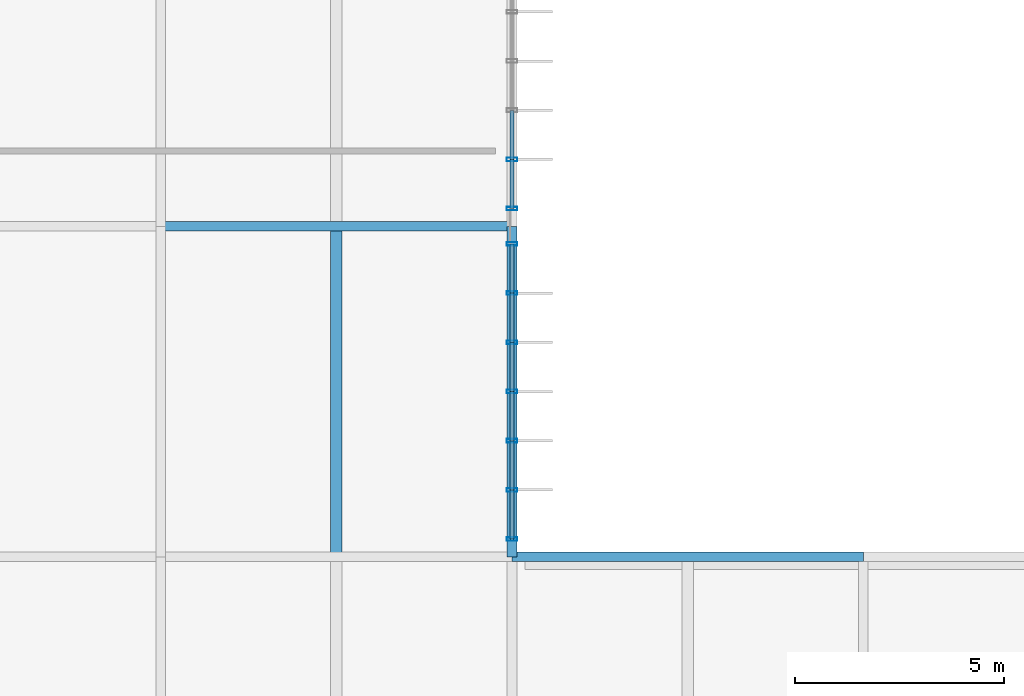
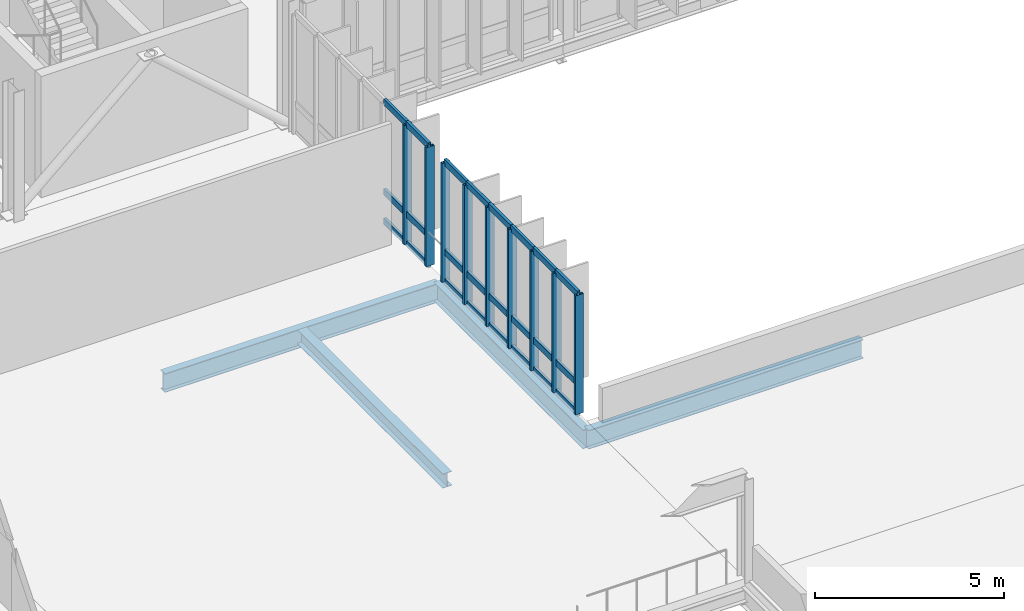
# One storey, part 28 of 107: 33 members, 4 beams, 2 elements without a shape of their own.
"""IFC4 building model written with IfcOpenShell, lengths in metres."""

from ifc_helpers import new_model, si_unit, derived_unit, direction, frame, origin, origin_2d, place, context, subcontext, project, spatial, hollow_rectangle, i_section, extrude, material, layer, layer_set, material_profile, profile_set, type_object, element, aggregate, save


model = new_model("IFC4")

# Units and contexts
model_context = context("Model", 3, precision=1e-05, world=origin(), true_north=direction((0.0, 1.0)))
body_context = subcontext(model_context, "Body", "Model", "MODEL_VIEW")
ifc_project = project(units=[si_unit("LENGTHUNIT", "METRE"), si_unit("AREAUNIT", "SQUARE_METRE"), si_unit("VOLUMEUNIT", "CUBIC_METRE"), si_unit("PLANEANGLEUNIT", "RADIAN"), si_unit("MASSUNIT", "GRAM", prefix="KILO"), derived_unit("THERMALTRANSMITTANCEUNIT", [(si_unit("MASSUNIT", "GRAM", prefix="KILO"), 1), (si_unit("TIMEUNIT", "SECOND"), -3), (si_unit("THERMODYNAMICTEMPERATUREUNIT", "KELVIN"), -1)])], contexts=[model_context])

# Site, building, storey
site_placement = place(None, origin())
site = spatial("IfcSite", under=ifc_project, at=site_placement, CompositionType="ELEMENT")
building_placement = place(site_placement, origin())
building = spatial("IfcBuilding", under=site, at=building_placement, Name="Makaiwela Harbour Ferry Terminal", CompositionType="ELEMENT")
storey_placement = place(building_placement, frame((0.0, 0.0, 9.60009765625)))
storey = spatial("IfcBuildingStorey", under=building, at=storey_placement, Name="L02", CompositionType="ELEMENT", Elevation=9.60009765625)

# Curtain wall, members
ifc_material_1 = material(Name="Marine anodised aluminium 6063-T6", Category="aluminium")
ifc_layer = layer(ifc_material_1, 0.199951171875)
ifc_layer_set = layer_set([ifc_layer], Name="Marine anodised aluminium 6063-T6")
curtain_wall_type = type_object("IfcCurtainWallType", Name="ENV-CW-14", PredefinedType="USERDEFINED", material=ifc_layer_set)
curtain_wall_1_placement = place(storey_placement, origin())
curtain_wall_1 = element("IfcCurtainWall", 1, at=curtain_wall_1_placement, inside=storey, type_object=curtain_wall_type, Name="Unitised Curtain Wall CWA-110", ObjectType="UNITIZED CURTAIN WALL", PredefinedType="USERDEFINED")
ifc_material_profile_1 = material_profile(ifc_material_1, hollow_rectangle(XDim=0.0849609375, YDim=0.25, WallThickness=0.0048828125, at=origin_2d()), Name="CWM-250X85")
ifc_profile_set_1 = profile_set([ifc_material_profile_1], Name="Marine anodised aluminium 6063-T6")
member_type_1 = type_object("IfcMemberType", Name="CW-MUL-250", PredefinedType="MULLION", material=ifc_profile_set_1)
member_1_placement = place(storey_placement, frame((71.39990234375, 41.080078125, 0.0), z_axis=(0.0, 0.0, 1.0), x_axis=(0.0, 1.0, 0.0)))
member_1 = element("IfcMember", 2, at=member_1_placement, type_object=member_type_1, Name="Curtain Wall Mullion CWA-110-1", PredefinedType="MULLION", context=body_context, shape_type="SweptSolid", body=[
    extrude(hollow_rectangle(XDim=0.0849609375, YDim=0.25, WallThickness=0.0048828125, at=origin_2d()), origin(), (0.0, 0.0, 1.0), 3.849853515625),
])
member_2_placement = place(storey_placement, frame((71.39990234375, 39.9033203125, 0.0), z_axis=(0.0, 0.0, 1.0), x_axis=(0.0, 1.0, 0.0)))
member_2 = element("IfcMember", 3, at=member_2_placement, type_object=member_type_1, Name="Curtain Wall Mullion CWA-110-2", PredefinedType="MULLION", context=body_context, shape_type="SweptSolid", body=[
    extrude(hollow_rectangle(XDim=0.0849609375, YDim=0.25, WallThickness=0.0048828125, at=origin_2d()), origin(), (0.0, 0.0, 1.0), 3.849853515625),
])
member_3_placement = place(storey_placement, frame((71.39990234375, 38.726806640625, 0.0), z_axis=(0.0, 0.0, 1.0), x_axis=(0.0, 1.0, 0.0)))
member_3 = element("IfcMember", 4, at=member_3_placement, type_object=member_type_1, Name="Curtain Wall Mullion CWA-110-3", PredefinedType="MULLION", context=body_context, shape_type="SweptSolid", body=[
    extrude(hollow_rectangle(XDim=0.0849609375, YDim=0.25, WallThickness=0.0048828125, at=origin_2d()), origin(), (0.0, 0.0, 1.0), 3.849853515625),
])
member_4_placement = place(storey_placement, frame((71.39990234375, 37.550048828125, 0.0), z_axis=(0.0, 0.0, 1.0), x_axis=(0.0, 1.0, 0.0)))
member_4 = element("IfcMember", 5, at=member_4_placement, type_object=member_type_1, Name="Curtain Wall Mullion CWA-110-4", PredefinedType="MULLION", context=body_context, shape_type="SweptSolid", body=[
    extrude(hollow_rectangle(XDim=0.0849609375, YDim=0.25, WallThickness=0.0048828125, at=origin_2d()), origin(), (0.0, 0.0, 1.0), 3.849853515625),
])
member_5_placement = place(storey_placement, frame((71.39990234375, 36.373291015625, 0.0), z_axis=(0.0, 0.0, 1.0), x_axis=(0.0, 1.0, 0.0)))
member_5 = element("IfcMember", 6, at=member_5_placement, type_object=member_type_1, Name="Curtain Wall Mullion CWA-110-5", PredefinedType="MULLION", context=body_context, shape_type="SweptSolid", body=[
    extrude(hollow_rectangle(XDim=0.0849609375, YDim=0.25, WallThickness=0.0048828125, at=origin_2d()), origin(), (0.0, 0.0, 1.0), 3.849853515625),
])
member_6_placement = place(storey_placement, frame((71.39990234375, 35.19677734375, 0.0), z_axis=(0.0, 0.0, 1.0), x_axis=(0.0, 1.0, 0.0)))
member_6 = element("IfcMember", 7, at=member_6_placement, type_object=member_type_1, Name="Curtain Wall Mullion CWA-110-6", PredefinedType="MULLION", context=body_context, shape_type="SweptSolid", body=[
    extrude(hollow_rectangle(XDim=0.0849609375, YDim=0.25, WallThickness=0.0048828125, at=origin_2d()), origin(), (0.0, 0.0, 1.0), 3.849853515625),
])
member_7_placement = place(storey_placement, frame((71.39990234375, 34.02001953125, 0.0), z_axis=(0.0, 0.0, 1.0), x_axis=(0.0, 1.0, 0.0)))
member_7 = element("IfcMember", 8, at=member_7_placement, type_object=member_type_1, Name="Curtain Wall Mullion CWA-110-7", PredefinedType="MULLION", context=body_context, shape_type="SweptSolid", body=[
    extrude(hollow_rectangle(XDim=0.0849609375, YDim=0.25, WallThickness=0.0048828125, at=origin_2d()), origin(), (0.0, 0.0, 1.0), 3.849853515625),
])

curtain_wall_2_placement = place(storey_placement, origin())
curtain_wall_2 = element("IfcCurtainWall", 9, at=curtain_wall_2_placement, inside=storey, type_object=curtain_wall_type, Name="Unitised Curtain Wall CWA-113", ObjectType="UNITIZED CURTAIN WALL", PredefinedType="USERDEFINED")
member_8_placement = place(storey_placement, frame((71.39990234375, 43.0966796875, 0.0), z_axis=(0.0, 0.0, 1.0), x_axis=(0.0, 1.0, 0.0)))
member_8 = element("IfcMember", 10, at=member_8_placement, type_object=member_type_1, Name="Curtain Wall Mullion CWA-113-6", PredefinedType="MULLION", context=body_context, shape_type="SweptSolid", body=[
    extrude(hollow_rectangle(XDim=0.0849609375, YDim=0.25, WallThickness=0.0048828125, at=origin_2d()), origin(), (0.0, 0.0, 1.0), 3.849853515625),
])
member_9_placement = place(storey_placement, frame((71.39990234375, 41.919921875, 0.0), z_axis=(0.0, 0.0, 1.0), x_axis=(0.0, 1.0, 0.0)))
member_9 = element("IfcMember", 11, at=member_9_placement, type_object=member_type_1, Name="Curtain Wall Mullion CWA-113-7", PredefinedType="MULLION", context=body_context, shape_type="SweptSolid", body=[
    extrude(hollow_rectangle(XDim=0.0849609375, YDim=0.25, WallThickness=0.0048828125, at=origin_2d()), origin(), (0.0, 0.0, 1.0), 3.849853515625),
])

# Member
ifc_material_profile_2 = material_profile(ifc_material_1, hollow_rectangle(XDim=0.0849609375, YDim=0.199951171875, WallThickness=0.0048828125, at=origin_2d()), Name="CWT-200X85")
ifc_profile_set_2 = profile_set([ifc_material_profile_2], Name="Marine anodised aluminium 6063-T6")
member_type_2 = type_object("IfcMemberType", Name="CW-TRN-200", PredefinedType="USERDEFINED", material=ifc_profile_set_2)
member_10_placement = place(storey_placement, frame((71.39990234375, 41.080078125, 0.0), z_axis=(0.0, -1.0, 0.0), x_axis=(1.0, 0.0, 0.0)))
member_10 = element("IfcMember", 12, at=member_10_placement, type_object=member_type_2, Name="Curtain Wall Transom CWA-110-1-1", ObjectType="TRANSOM", PredefinedType="USERDEFINED", context=body_context, shape_type="SweptSolid", body=[
    extrude(hollow_rectangle(XDim=0.0849609375, YDim=0.199951171875, WallThickness=0.0048828125, at=origin_2d()), origin(), (0.0, 0.0, 1.0), 1.1767578125),
])

member_11_placement = place(storey_placement, frame((71.39990234375, 41.080078125, 0.949951171875), z_axis=(0.0, -1.0, 0.0), x_axis=(1.0, 0.0, 0.0)))
member_11 = element("IfcMember", 13, at=member_11_placement, type_object=member_type_2, Name="Curtain Wall Transom CWA-110-1-2", ObjectType="TRANSOM", PredefinedType="USERDEFINED", context=body_context, shape_type="SweptSolid", body=[
    extrude(hollow_rectangle(XDim=0.0849609375, YDim=0.199951171875, WallThickness=0.0048828125, at=origin_2d()), origin(), (0.0, 0.0, 1.0), 1.1767578125),
])

member_12_placement = place(storey_placement, frame((71.39990234375, 41.080078125, 3.849853515625), z_axis=(0.0, -1.0, 0.0), x_axis=(1.0, 0.0, 0.0)))
member_12 = element("IfcMember", 14, at=member_12_placement, type_object=member_type_2, Name="Curtain Wall Transom CWA-110-1-3", ObjectType="TRANSOM", PredefinedType="USERDEFINED", context=body_context, shape_type="SweptSolid", body=[
    extrude(hollow_rectangle(XDim=0.0849609375, YDim=0.199951171875, WallThickness=0.0048828125, at=origin_2d()), origin(), (0.0, 0.0, 1.0), 1.1767578125),
])

member_13_placement = place(storey_placement, frame((71.39990234375, 39.9033203125, 0.0), z_axis=(0.0, -1.0, 0.0), x_axis=(1.0, 0.0, 0.0)))
member_13 = element("IfcMember", 15, at=member_13_placement, type_object=member_type_2, Name="Curtain Wall Transom CWA-110-2-1", ObjectType="TRANSOM", PredefinedType="USERDEFINED", context=body_context, shape_type="SweptSolid", body=[
    extrude(hollow_rectangle(XDim=0.0849609375, YDim=0.199951171875, WallThickness=0.0048828125, at=origin_2d()), origin(), (0.0, 0.0, 1.0), 1.176513671875),
])

member_14_placement = place(storey_placement, frame((71.39990234375, 39.9033203125, 0.949951171875), z_axis=(0.0, -1.0, 0.0), x_axis=(1.0, 0.0, 0.0)))
member_14 = element("IfcMember", 16, at=member_14_placement, type_object=member_type_2, Name="Curtain Wall Transom CWA-110-2-2", ObjectType="TRANSOM", PredefinedType="USERDEFINED", context=body_context, shape_type="SweptSolid", body=[
    extrude(hollow_rectangle(XDim=0.0849609375, YDim=0.199951171875, WallThickness=0.0048828125, at=origin_2d()), origin(), (0.0, 0.0, 1.0), 1.176513671875),
])

member_15_placement = place(storey_placement, frame((71.39990234375, 39.9033203125, 3.849853515625), z_axis=(0.0, -1.0, 0.0), x_axis=(1.0, 0.0, 0.0)))
member_15 = element("IfcMember", 17, at=member_15_placement, type_object=member_type_2, Name="Curtain Wall Transom CWA-110-2-3", ObjectType="TRANSOM", PredefinedType="USERDEFINED", context=body_context, shape_type="SweptSolid", body=[
    extrude(hollow_rectangle(XDim=0.0849609375, YDim=0.199951171875, WallThickness=0.0048828125, at=origin_2d()), origin(), (0.0, 0.0, 1.0), 1.176513671875),
])

member_16_placement = place(storey_placement, frame((71.39990234375, 38.726806640625, 0.0), z_axis=(0.0, -1.0, 0.0), x_axis=(1.0, 0.0, 0.0)))
member_16 = element("IfcMember", 18, at=member_16_placement, type_object=member_type_2, Name="Curtain Wall Transom CWA-110-3-1", ObjectType="TRANSOM", PredefinedType="USERDEFINED", context=body_context, shape_type="SweptSolid", body=[
    extrude(hollow_rectangle(XDim=0.0849609375, YDim=0.199951171875, WallThickness=0.0048828125, at=origin_2d()), origin(), (0.0, 0.0, 1.0), 1.1767578125),
])

member_17_placement = place(storey_placement, frame((71.39990234375, 38.726806640625, 0.949951171875), z_axis=(0.0, -1.0, 0.0), x_axis=(1.0, 0.0, 0.0)))
member_17 = element("IfcMember", 19, at=member_17_placement, type_object=member_type_2, Name="Curtain Wall Transom CWA-110-3-2", ObjectType="TRANSOM", PredefinedType="USERDEFINED", context=body_context, shape_type="SweptSolid", body=[
    extrude(hollow_rectangle(XDim=0.0849609375, YDim=0.199951171875, WallThickness=0.0048828125, at=origin_2d()), origin(), (0.0, 0.0, 1.0), 1.1767578125),
])

member_18_placement = place(storey_placement, frame((71.39990234375, 38.726806640625, 3.849853515625), z_axis=(0.0, -1.0, 0.0), x_axis=(1.0, 0.0, 0.0)))
member_18 = element("IfcMember", 20, at=member_18_placement, type_object=member_type_2, Name="Curtain Wall Transom CWA-110-3-3", ObjectType="TRANSOM", PredefinedType="USERDEFINED", context=body_context, shape_type="SweptSolid", body=[
    extrude(hollow_rectangle(XDim=0.0849609375, YDim=0.199951171875, WallThickness=0.0048828125, at=origin_2d()), origin(), (0.0, 0.0, 1.0), 1.1767578125),
])

member_19_placement = place(storey_placement, frame((71.39990234375, 37.550048828125, 0.0), z_axis=(0.0, -1.0, 0.0), x_axis=(1.0, 0.0, 0.0)))
member_19 = element("IfcMember", 21, at=member_19_placement, type_object=member_type_2, Name="Curtain Wall Transom CWA-110-4-1", ObjectType="TRANSOM", PredefinedType="USERDEFINED", context=body_context, shape_type="SweptSolid", body=[
    extrude(hollow_rectangle(XDim=0.0849609375, YDim=0.199951171875, WallThickness=0.0048828125, at=origin_2d()), origin(), (0.0, 0.0, 1.0), 1.1767578125),
])

member_20_placement = place(storey_placement, frame((71.39990234375, 37.550048828125, 0.949951171875), z_axis=(0.0, -1.0, 0.0), x_axis=(1.0, 0.0, 0.0)))
member_20 = element("IfcMember", 22, at=member_20_placement, type_object=member_type_2, Name="Curtain Wall Transom CWA-110-4-2", ObjectType="TRANSOM", PredefinedType="USERDEFINED", context=body_context, shape_type="SweptSolid", body=[
    extrude(hollow_rectangle(XDim=0.0849609375, YDim=0.199951171875, WallThickness=0.0048828125, at=origin_2d()), origin(), (0.0, 0.0, 1.0), 1.1767578125),
])

member_21_placement = place(storey_placement, frame((71.39990234375, 37.550048828125, 3.849853515625), z_axis=(0.0, -1.0, 0.0), x_axis=(1.0, 0.0, 0.0)))
member_21 = element("IfcMember", 23, at=member_21_placement, type_object=member_type_2, Name="Curtain Wall Transom CWA-110-4-3", ObjectType="TRANSOM", PredefinedType="USERDEFINED", context=body_context, shape_type="SweptSolid", body=[
    extrude(hollow_rectangle(XDim=0.0849609375, YDim=0.199951171875, WallThickness=0.0048828125, at=origin_2d()), origin(), (0.0, 0.0, 1.0), 1.1767578125),
])

member_22_placement = place(storey_placement, frame((71.39990234375, 36.373291015625, 0.0), z_axis=(0.0, -1.0, 0.0), x_axis=(1.0, 0.0, 0.0)))
member_22 = element("IfcMember", 24, at=member_22_placement, type_object=member_type_2, Name="Curtain Wall Transom CWA-110-5-1", ObjectType="TRANSOM", PredefinedType="USERDEFINED", context=body_context, shape_type="SweptSolid", body=[
    extrude(hollow_rectangle(XDim=0.0849609375, YDim=0.199951171875, WallThickness=0.0048828125, at=origin_2d()), origin(), (0.0, 0.0, 1.0), 1.176513671875),
])

member_23_placement = place(storey_placement, frame((71.39990234375, 36.373291015625, 0.949951171875), z_axis=(0.0, -1.0, 0.0), x_axis=(1.0, 0.0, 0.0)))
member_23 = element("IfcMember", 25, at=member_23_placement, type_object=member_type_2, Name="Curtain Wall Transom CWA-110-5-2", ObjectType="TRANSOM", PredefinedType="USERDEFINED", context=body_context, shape_type="SweptSolid", body=[
    extrude(hollow_rectangle(XDim=0.0849609375, YDim=0.199951171875, WallThickness=0.0048828125, at=origin_2d()), origin(), (0.0, 0.0, 1.0), 1.176513671875),
])

member_24_placement = place(storey_placement, frame((71.39990234375, 36.373291015625, 3.849853515625), z_axis=(0.0, -1.0, 0.0), x_axis=(1.0, 0.0, 0.0)))
member_24 = element("IfcMember", 26, at=member_24_placement, type_object=member_type_2, Name="Curtain Wall Transom CWA-110-5-3", ObjectType="TRANSOM", PredefinedType="USERDEFINED", context=body_context, shape_type="SweptSolid", body=[
    extrude(hollow_rectangle(XDim=0.0849609375, YDim=0.199951171875, WallThickness=0.0048828125, at=origin_2d()), origin(), (0.0, 0.0, 1.0), 1.176513671875),
])

member_25_placement = place(storey_placement, frame((71.39990234375, 35.19677734375, 0.0), z_axis=(0.0, -1.0, 0.0), x_axis=(1.0, 0.0, 0.0)))
member_25 = element("IfcMember", 27, at=member_25_placement, type_object=member_type_2, Name="Curtain Wall Transom CWA-110-6-1", ObjectType="TRANSOM", PredefinedType="USERDEFINED", context=body_context, shape_type="SweptSolid", body=[
    extrude(hollow_rectangle(XDim=0.0849609375, YDim=0.199951171875, WallThickness=0.0048828125, at=origin_2d()), origin(), (0.0, 0.0, 1.0), 1.1767578125),
])

member_26_placement = place(storey_placement, frame((71.39990234375, 35.19677734375, 0.949951171875), z_axis=(0.0, -1.0, 0.0), x_axis=(1.0, 0.0, 0.0)))
member_26 = element("IfcMember", 28, at=member_26_placement, type_object=member_type_2, Name="Curtain Wall Transom CWA-110-6-2", ObjectType="TRANSOM", PredefinedType="USERDEFINED", context=body_context, shape_type="SweptSolid", body=[
    extrude(hollow_rectangle(XDim=0.0849609375, YDim=0.199951171875, WallThickness=0.0048828125, at=origin_2d()), origin(), (0.0, 0.0, 1.0), 1.1767578125),
])

member_27_placement = place(storey_placement, frame((71.39990234375, 35.19677734375, 3.849853515625), z_axis=(0.0, -1.0, 0.0), x_axis=(1.0, 0.0, 0.0)))
member_27 = element("IfcMember", 29, at=member_27_placement, type_object=member_type_2, Name="Curtain Wall Transom CWA-110-6-3", ObjectType="TRANSOM", PredefinedType="USERDEFINED", context=body_context, shape_type="SweptSolid", body=[
    extrude(hollow_rectangle(XDim=0.0849609375, YDim=0.199951171875, WallThickness=0.0048828125, at=origin_2d()), origin(), (0.0, 0.0, 1.0), 1.1767578125),
])

aggregate(curtain_wall_1, [member_1, member_2, member_3, member_4, member_5, member_6, member_7, member_10, member_11, member_12, member_13, member_14, member_15, member_16, member_17, member_18, member_19, member_20, member_21, member_22, member_23, member_24, member_25, member_26, member_27])

member_28_placement = place(storey_placement, frame((71.39990234375, 44.273193359375, 0.0), z_axis=(0.0, -1.0, 0.0), x_axis=(1.0, 0.0, 0.0)))
member_28 = element("IfcMember", 30, at=member_28_placement, type_object=member_type_2, Name="Curtain Wall Transom CWA-113-5-1", ObjectType="TRANSOM", PredefinedType="USERDEFINED", context=body_context, shape_type="SweptSolid", body=[
    extrude(hollow_rectangle(XDim=0.0849609375, YDim=0.199951171875, WallThickness=0.0048828125, at=origin_2d()), origin(), (0.0, 0.0, 1.0), 1.176513671875),
])

member_29_placement = place(storey_placement, frame((71.39990234375, 44.273193359375, 0.949951171875), z_axis=(0.0, -1.0, 0.0), x_axis=(1.0, 0.0, 0.0)))
member_29 = element("IfcMember", 31, at=member_29_placement, type_object=member_type_2, Name="Curtain Wall Transom CWA-113-5-2", ObjectType="TRANSOM", PredefinedType="USERDEFINED", context=body_context, shape_type="SweptSolid", body=[
    extrude(hollow_rectangle(XDim=0.0849609375, YDim=0.199951171875, WallThickness=0.0048828125, at=origin_2d()), origin(), (0.0, 0.0, 1.0), 1.176513671875),
])

member_30_placement = place(storey_placement, frame((71.39990234375, 44.273193359375, 3.849853515625), z_axis=(0.0, -1.0, 0.0), x_axis=(1.0, 0.0, 0.0)))
member_30 = element("IfcMember", 32, at=member_30_placement, type_object=member_type_2, Name="Curtain Wall Transom CWA-113-5-3", ObjectType="TRANSOM", PredefinedType="USERDEFINED", context=body_context, shape_type="SweptSolid", body=[
    extrude(hollow_rectangle(XDim=0.0849609375, YDim=0.199951171875, WallThickness=0.0048828125, at=origin_2d()), origin(), (0.0, 0.0, 1.0), 1.176513671875),
])

member_31_placement = place(storey_placement, frame((71.39990234375, 43.0966796875, 0.0), z_axis=(0.0, -1.0, 0.0), x_axis=(1.0, 0.0, 0.0)))
member_31 = element("IfcMember", 33, at=member_31_placement, type_object=member_type_2, Name="Curtain Wall Transom CWA-113-6-1", ObjectType="TRANSOM", PredefinedType="USERDEFINED", context=body_context, shape_type="SweptSolid", body=[
    extrude(hollow_rectangle(XDim=0.0849609375, YDim=0.199951171875, WallThickness=0.0048828125, at=origin_2d()), origin(), (0.0, 0.0, 1.0), 1.1767578125),
])

member_32_placement = place(storey_placement, frame((71.39990234375, 43.0966796875, 0.949951171875), z_axis=(0.0, -1.0, 0.0), x_axis=(1.0, 0.0, 0.0)))
member_32 = element("IfcMember", 34, at=member_32_placement, type_object=member_type_2, Name="Curtain Wall Transom CWA-113-6-2", ObjectType="TRANSOM", PredefinedType="USERDEFINED", context=body_context, shape_type="SweptSolid", body=[
    extrude(hollow_rectangle(XDim=0.0849609375, YDim=0.199951171875, WallThickness=0.0048828125, at=origin_2d()), origin(), (0.0, 0.0, 1.0), 1.1767578125),
])

member_33_placement = place(storey_placement, frame((71.39990234375, 43.0966796875, 3.849853515625), z_axis=(0.0, -1.0, 0.0), x_axis=(1.0, 0.0, 0.0)))
member_33 = element("IfcMember", 35, at=member_33_placement, type_object=member_type_2, Name="Curtain Wall Transom CWA-113-6-3", ObjectType="TRANSOM", PredefinedType="USERDEFINED", context=body_context, shape_type="SweptSolid", body=[
    extrude(hollow_rectangle(XDim=0.0849609375, YDim=0.199951171875, WallThickness=0.0048828125, at=origin_2d()), origin(), (0.0, 0.0, 1.0), 1.1767578125),
])

aggregate(curtain_wall_2, [member_8, member_9, member_28, member_29, member_30, member_31, member_32, member_33])

# Beams
ifc_material_2 = material(Name="Steel ASTM A992 Grade 50", Category="steel")
ifc_material_profile_3 = material_profile(ifc_material_2, i_section(OverallWidth=0.280029296875, OverallDepth=0.462890625, WebThickness=0.0107421875, FlangeThickness=0.017333984375, at=origin_2d()), Name="W18X76")
ifc_profile_set_3 = profile_set([ifc_material_profile_3], Name="Steel ASTM A992 Grade 50")
beam_type_1 = type_object("IfcBeamType", Name="STR-BM-W18X76", PredefinedType="BEAM", material=ifc_profile_set_3)
beam_1_placement = place(storey_placement, frame((67.199951171875, 33.696533203125, -0.49169921875), z_axis=(0.0, 1.0, 0.0), x_axis=(-1.0, 0.0, 0.0)))
element("IfcBeam", 36, at=beam_1_placement, inside=storey, type_object=beam_type_1, Name="Secondary floor beam 1468", PredefinedType="BEAM", context=body_context, shape_type="SweptSolid", body=[
    extrude(i_section(OverallWidth=0.280029296875, OverallDepth=0.462890625, WebThickness=0.0107421875, FlangeThickness=0.017333984375, at=origin_2d()), origin(), (0.0, 0.0, 1.0), 7.70703125),
])
ifc_material_profile_4 = material_profile(ifc_material_2, i_section(OverallWidth=0.22900390625, OverallDepth=0.612060546875, WebThickness=0.011962890625, FlangeThickness=0.01953125, at=origin_2d()), Name="W24X84")
ifc_profile_set_4 = profile_set([ifc_material_profile_4], Name="Steel ASTM A992 Grade 50")
beam_type_2 = type_object("IfcBeamType", Name="STR-GRD-W24X84", PredefinedType="USERDEFINED", material=ifc_profile_set_4)
beam_2_placement = place(storey_placement, frame((71.39990234375, 33.60009765625, -0.546142578125), z_axis=(1.0, 0.0, 0.0), x_axis=(0.0, 1.0, 0.0)))
element("IfcBeam", 37, at=beam_2_placement, inside=storey, type_object=beam_type_2, Name="Primary X girder 1250", ObjectType="GIRDER", PredefinedType="USERDEFINED", context=body_context, shape_type="SweptSolid", body=[
    extrude(i_section(OverallWidth=0.22900390625, OverallDepth=0.612060546875, WebThickness=0.011962890625, FlangeThickness=0.01953125, at=origin_2d()), origin(), (0.0, 0.0, 1.0), 8.400146484375),
])
beam_3_placement = place(storey_placement, frame((63.0, 41.5, -0.566162109375), z_axis=(1.0, 0.0, 0.0), x_axis=(0.0, 1.0, 0.0)))
element("IfcBeam", 38, at=beam_3_placement, inside=storey, type_object=beam_type_2, Name="Primary X girder 1265", ObjectType="GIRDER", PredefinedType="USERDEFINED", context=body_context, shape_type="SweptSolid", body=[
    extrude(i_section(OverallWidth=0.22900390625, OverallDepth=0.612060546875, WebThickness=0.011962890625, FlangeThickness=0.01953125, at=origin_2d()), origin(), (0.0, 0.0, 1.0), 8.39990234375),
])
beam_4_placement = place(storey_placement, frame((71.39990234375, 33.60009765625, -0.566162109375), z_axis=(0.0, 1.0, 0.0), x_axis=(-1.0, 0.0, 0.0)))
element("IfcBeam", 39, at=beam_4_placement, inside=storey, type_object=beam_type_2, Name="Primary Y girder 1368", ObjectType="GIRDER", PredefinedType="USERDEFINED", context=body_context, shape_type="SweptSolid", body=[
    extrude(i_section(OverallWidth=0.22900390625, OverallDepth=0.612060546875, WebThickness=0.011962890625, FlangeThickness=0.01953125, at=origin_2d()), origin(), (0.0, 0.0, 1.0), 7.89990234375),
])

save(model, "model.ifc")
